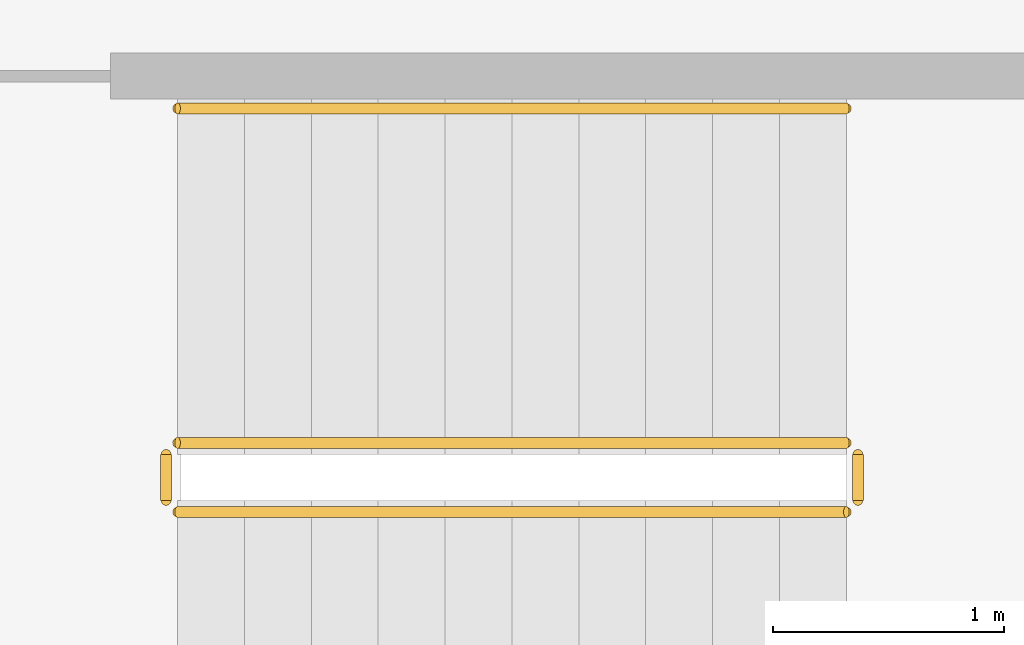
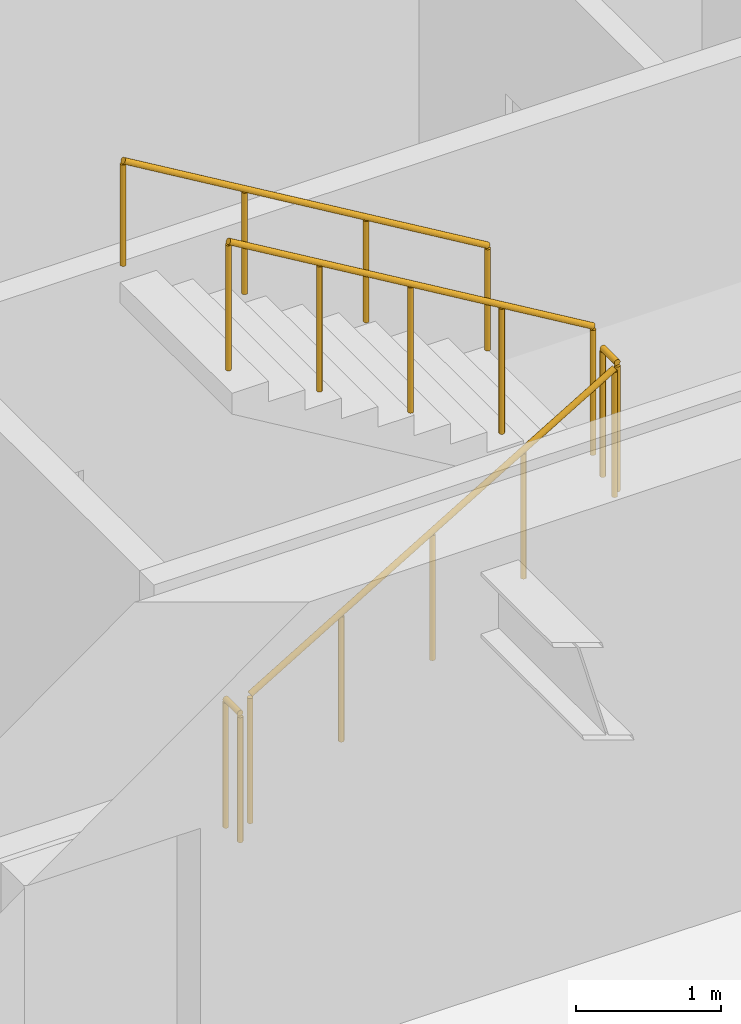
# One storey, part 21 of 22: 5 railings.
"""IFC4 building model written with IfcOpenShell, lengths in metres."""

from ifc_helpers import new_model, si_unit, direction, frame, origin, origin_2d, place, context, subcontext, project, spatial, circle, extrude, material, type_object, element, save


model = new_model("IFC4")

# Units and contexts
model_context = context("Model", 3, precision=1e-05, world=origin(), true_north=direction((0.0, 1.0)))
body_context = subcontext(model_context, "Body", "Model", "MODEL_VIEW")
ifc_project = project(units=[si_unit("LENGTHUNIT", "METRE"), si_unit("AREAUNIT", "SQUARE_METRE"), si_unit("VOLUMEUNIT", "CUBIC_METRE"), si_unit("PLANEANGLEUNIT", "RADIAN"), si_unit("MASSUNIT", "GRAM", prefix="KILO")], contexts=[model_context])

# Site, building, storey
site_placement = place(None, origin())
site = spatial("IfcSite", under=ifc_project, at=site_placement, CompositionType="ELEMENT")
building_placement = place(site_placement, origin())
building = spatial("IfcBuilding", under=site, at=building_placement, Name="Putna Gate Headquarters", CompositionType="ELEMENT")
storey_placement = place(building_placement, frame((0.0, 0.0, 163.199951171875)))
storey = spatial("IfcBuildingStorey", under=building, at=storey_placement, Name="L40", CompositionType="ELEMENT", Elevation=163.199951171875)

# Railings
ifc_material_1 = material(Name="Powder-coated steel stair guardrail", Category="steel")
railing_type_1 = type_object("IfcRailingType", Name="RAIL-STAIR-GUARD-1100", PredefinedType="GUARDRAIL", material=ifc_material_1)
railing_1_placement = place(storey_placement, frame((57.89990234375, 21.10009765625, 0.1728515625)))
element("IfcRailing", 1, at=railing_1_placement, inside=storey, type_object=railing_type_1, Name="L40 ST2 stair guard 1", PredefinedType="GUARDRAIL", context=body_context, shape_type="SweptSolid", body=[
    extrude(circle(Radius=0.02392578125, at=origin_2d()), frame((0.0, 0.0, 1.076171875), z_axis=(0.859160404282, 0.0, 0.51170636083), x_axis=(0.0, 1.0, 0.0)), (0.0, 0.0, 1.0), 3.37548828125),
    extrude(circle(Radius=0.02099609375, at=origin_2d()), origin(), (0.0, 0.0, 1.0), 1.052001953125),
    extrude(circle(Radius=0.02099609375, at=origin_2d()), frame((0.72509765625, 0.0, 0.431884765625)), (0.0, 0.0, 1.0), 1.052001953125),
    extrude(circle(Radius=0.02099609375, at=origin_2d()), frame((1.4501953125, 0.0, 0.86376953125)), (0.0, 0.0, 1.0), 1.052001953125),
    extrude(circle(Radius=0.02099609375, at=origin_2d()), frame((2.175048828125, 0.0, 1.29541015625)), (0.0, 0.0, 1.0), 1.052001953125),
    extrude(circle(Radius=0.02099609375, at=origin_2d()), frame((2.900146484375, 0.0, 1.727294921875)), (0.0, 0.0, 1.0), 1.052001953125),
])
railing_2_placement = place(storey_placement, frame((60.85009765625, 21.14990234375, 1.900146484375)))
element("IfcRailing", 2, at=railing_2_placement, inside=storey, type_object=railing_type_1, Name="L40 ST2 stair guard 2", PredefinedType="GUARDRAIL", context=body_context, shape_type="SweptSolid", body=[
    extrude(circle(Radius=0.02392578125, at=origin_2d()), frame((0.0, 0.0, 1.076171875), z_axis=(0.0, 1.0, 0.0), x_axis=(-1.0, 0.0, 0.0)), (0.0, 0.0, 1.0), 0.2001953125),
    extrude(circle(Radius=0.02099609375, at=origin_2d()), origin(), (0.0, 0.0, 1.0), 1.052001953125),
    extrude(circle(Radius=0.02099609375, at=origin_2d()), frame((0.0, 0.2001953125, 0.0)), (0.0, 0.0, 1.0), 1.052001953125),
])
railing_3_placement = place(storey_placement, frame((60.800048828125, 21.39990234375, 2.07275390625)))
element("IfcRailing", 3, at=railing_3_placement, inside=storey, type_object=railing_type_1, Name="L40 ST2 stair guard 3", PredefinedType="GUARDRAIL", context=body_context, shape_type="SweptSolid", body=[
    extrude(circle(Radius=0.02392578125, at=origin_2d()), frame((0.0, 0.0, 1.076171875), z_axis=(-0.859160404282, 0.0, 0.51170636083), x_axis=(0.0, -1.0, 0.0)), (0.0, 0.0, 1.0), 3.37548828125),
    extrude(circle(Radius=0.02099609375, at=origin_2d()), origin(), (0.0, 0.0, 1.0), 1.052001953125),
    extrude(circle(Radius=0.02099609375, at=origin_2d()), frame((-0.72509765625, 0.0, 0.431884765625)), (0.0, 0.0, 1.0), 1.052001953125),
    extrude(circle(Radius=0.02099609375, at=origin_2d()), frame((-1.4501953125, 0.0, 0.86376953125)), (0.0, 0.0, 1.0), 1.052001953125),
    extrude(circle(Radius=0.02099609375, at=origin_2d()), frame((-2.175048828125, 0.0, 1.29541015625)), (0.0, 0.0, 1.0), 1.052001953125),
    extrude(circle(Radius=0.02099609375, at=origin_2d()), frame((-2.900146484375, 0.0, 1.727294921875)), (0.0, 0.0, 1.0), 1.052001953125),
])
railing_4_placement = place(storey_placement, frame((57.85009765625, 21.14990234375, 0.0)))
element("IfcRailing", 4, at=railing_4_placement, inside=storey, type_object=railing_type_1, Name="L40 ST2 stair guard 4", PredefinedType="GUARDRAIL", context=body_context, shape_type="SweptSolid", body=[
    extrude(circle(Radius=0.02392578125, at=origin_2d()), frame((0.0, 0.0, 1.076171875), z_axis=(0.0, 1.0, 0.0), x_axis=(-1.0, 0.0, 0.0)), (0.0, 0.0, 1.0), 0.2001953125),
    extrude(circle(Radius=0.02099609375, at=origin_2d()), origin(), (0.0, 0.0, 1.0), 1.052001953125),
    extrude(circle(Radius=0.02099609375, at=origin_2d()), frame((0.0, 0.2001953125, 0.0)), (0.0, 0.0, 1.0), 1.052001953125),
])
ifc_material_2 = material(Name="Brushed stainless steel handrail", Category="steel")
railing_type_2 = type_object("IfcRailingType", Name="RAIL-STAIR-HAND-900", PredefinedType="HANDRAIL", material=ifc_material_2)
railing_5_placement = place(storey_placement, frame((60.800048828125, 22.85009765625, 2.07275390625)))
element("IfcRailing", 5, at=railing_5_placement, inside=storey, type_object=railing_type_2, Name="L40 ST2 stair handrail 2", PredefinedType="HANDRAIL", context=body_context, shape_type="SweptSolid", body=[
    extrude(circle(Radius=0.02392578125, at=origin_2d()), frame((0.0, 0.0, 0.8759765625), z_axis=(-0.859160404282, 0.0, 0.51170636083), x_axis=(0.0, -1.0, 0.0)), (0.0, 0.0, 1.0), 3.37548828125),
    extrude(circle(Radius=0.02099609375, at=origin_2d()), origin(), (0.0, 0.0, 1.0), 0.851806640625),
    extrude(circle(Radius=0.02099609375, at=origin_2d()), frame((-0.966796875, 0.0, 0.57568359375)), (0.0, 0.0, 1.0), 0.851806640625),
    extrude(circle(Radius=0.02099609375, at=origin_2d()), frame((-1.933349609375, 0.0, 1.151611328125)), (0.0, 0.0, 1.0), 0.851806640625),
    extrude(circle(Radius=0.02099609375, at=origin_2d()), frame((-2.900146484375, 0.0, 1.727294921875)), (0.0, 0.0, 1.0), 0.851806640625),
])

save(model, "model.ifc")
